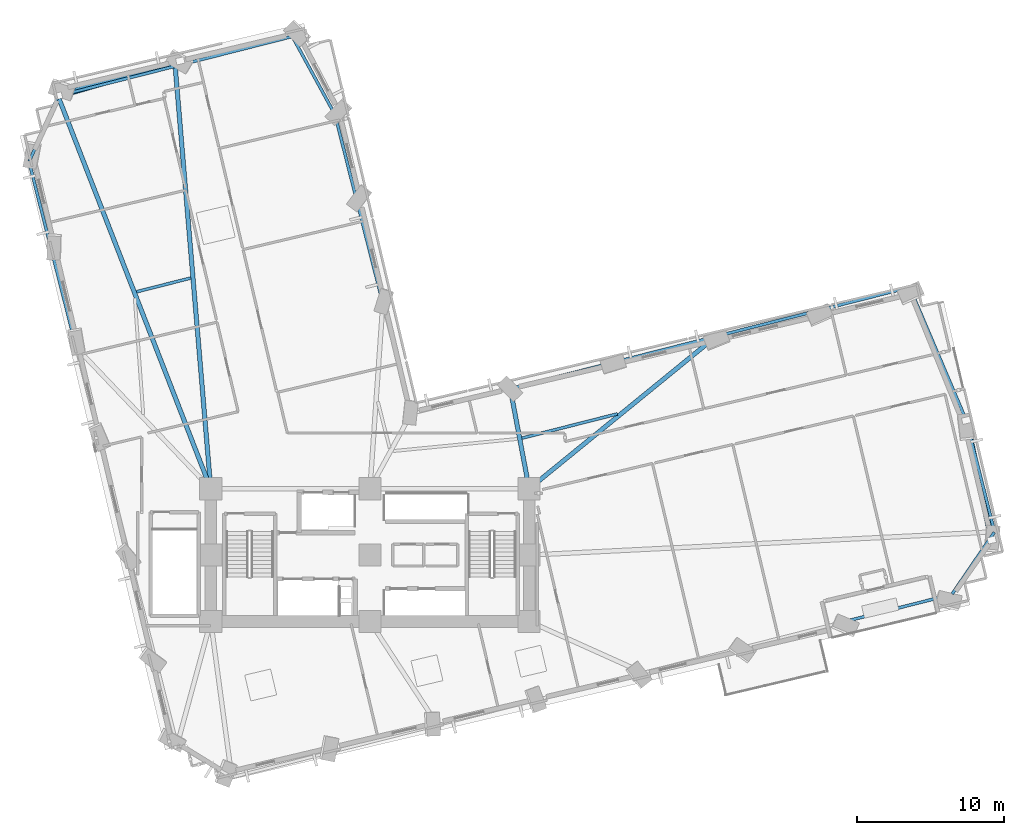
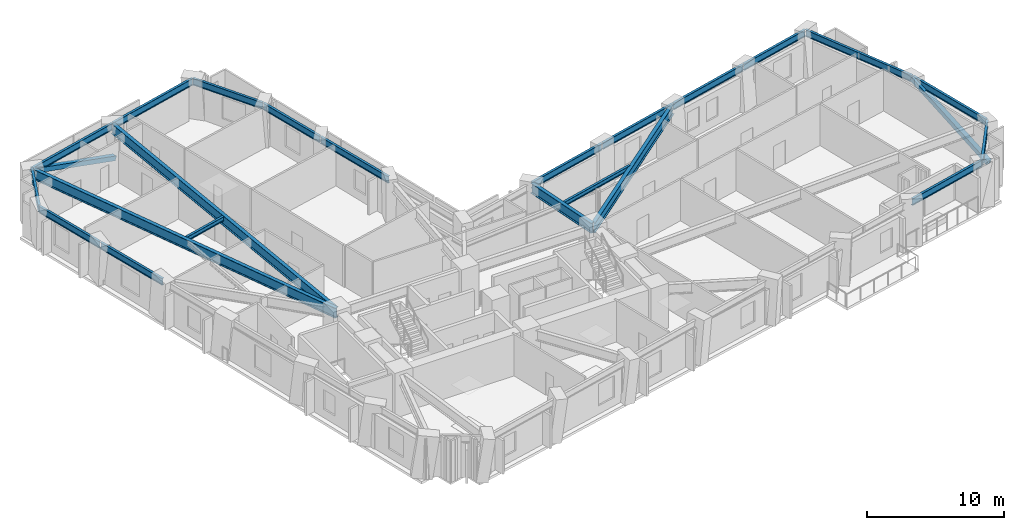
# One storey, part 2 of 14: 22 beams, 2 members.
"""IFC4 building model written with IfcOpenShell, lengths in metres."""

from ifc_helpers import new_model, si_unit, direction, frame, origin, origin_2d, place, context, subcontext, project, spatial, hollow_rectangle, i_section, extrude, material, material_profile, profile_set, type_object, element, save


model = new_model("IFC4")

# Units and contexts
model_context = context("Model", 3, precision=1e-05, world=origin(), true_north=direction((0.0, 1.0)))
body_context = subcontext(model_context, "Body", "Model", "MODEL_VIEW")
ifc_project = project(units=[si_unit("LENGTHUNIT", "METRE"), si_unit("AREAUNIT", "SQUARE_METRE"), si_unit("VOLUMEUNIT", "CUBIC_METRE"), si_unit("PLANEANGLEUNIT", "RADIAN"), si_unit("MASSUNIT", "GRAM", prefix="KILO")], contexts=[model_context])

# Site, building, storey
site_placement = place(None, origin())
site = spatial("IfcSite", under=ifc_project, at=site_placement, CompositionType="ELEMENT")
building_placement = place(site_placement, origin())
building = spatial("IfcBuilding", under=site, at=building_placement, Name="Gaonmaruhae Medical Tower", CompositionType="ELEMENT")
storey_placement = place(building_placement, frame((0.0, 0.0, 79.0)))
storey = spatial("IfcBuildingStorey", under=building, at=storey_placement, Name="L18", CompositionType="ELEMENT", Elevation=79.0)

# Beams
ifc_material_1 = material(Name="Steel SM355", Category="steel")
ifc_material_profile_1 = material_profile(ifc_material_1, i_section(OverallWidth=0.199951171875, OverallDepth=0.39990234375, WebThickness=0.008056640625, FlangeThickness=0.012939453125, FilletRadius=0.012939453125, at=origin_2d()), Name="H-400x200x8x13")
ifc_profile_set_1 = profile_set([ifc_material_profile_1], Name="Steel SM355")
beam_type_1 = type_object("IfcBeamType", Name="FJ-01 Lower Zone Ward Floor Joist (H-400x200x8x13)", PredefinedType="JOIST", material=ifc_profile_set_1)
beam_1_placement = place(storey_placement, frame((41.587890625, 21.878173828125, 3.5), z_axis=(-0.969230907598, -0.246153301334, 0.0), x_axis=(0.246153301334, -0.969230907598, 0.0)))
element("IfcBeam", 1, at=beam_1_placement, inside=storey, type_object=beam_type_1, Name="L18 Secondary Floor Joist FJ05", PredefinedType="JOIST", context=body_context, shape_type="SweptSolid", body=[
    extrude(i_section(OverallWidth=0.199951171875, OverallDepth=0.39990234375, WebThickness=0.008056640625, FlangeThickness=0.012939453125, FilletRadius=0.012939453125, at=origin_2d()), origin(), (0.0, 0.0, 1.0), 6.681884765625),
])
beam_2_placement = place(storey_placement, frame((12.639404296875, 31.094482421875, 3.5), z_axis=(-0.969228814883, -0.246161541271, 0.0), x_axis=(0.246161541271, -0.969228814883, 0.0)))
element("IfcBeam", 2, at=beam_2_placement, inside=storey, type_object=beam_type_1, Name="L18 Secondary Floor Joist FJ09", PredefinedType="JOIST", context=body_context, shape_type="SweptSolid", body=[
    extrude(i_section(OverallWidth=0.199951171875, OverallDepth=0.39990234375, WebThickness=0.008056640625, FlangeThickness=0.012939453125, FilletRadius=0.012939453125, at=origin_2d()), origin(), (0.0, 0.0, 1.0), 3.78466796875),
])

# Members
ifc_material_2 = material(Name="Steel SM420", Category="steel")
ifc_material_profile_2 = material_profile(ifc_material_2, hollow_rectangle(XDim=0.39990234375, YDim=0.39990234375, WallThickness=0.01611328125, at=origin_2d()), Name="RHS-400x400x16")
ifc_profile_set_2 = profile_set([ifc_material_profile_2], Name="Steel SM420")
member_type = type_object("IfcMemberType", Name="PB-01 Perimeter Solid-Bay Tube Brace Lower (RHS-400x400x16)", PredefinedType="BRACE", material=ifc_profile_set_2)
member_1_placement = place(storey_placement, frame((66.98583984375, 13.322509765625, 0.25), z_axis=(-0.195003164986, 0.912430349681, 0.359784133372), x_axis=(-0.977915931305, -0.20899863947, 0.0)))
element("IfcMember", 3, at=member_1_placement, inside=storey, type_object=member_type, Name="L18 Perimeter Tube Solid-Bay Brace E01-E02", PredefinedType="BRACE", context=body_context, shape_type="SweptSolid", body=[
    extrude(hollow_rectangle(XDim=0.39990234375, YDim=0.39990234375, WallThickness=0.01611328125, at=origin_2d()), origin(), (0.0, 0.0, 1.0), 8.89404296875),
])
member_2_placement = place(storey_placement, frame((11.93115234375, 45.8291015625, 0.25), z_axis=(-0.90120484356, -0.258688502489, 0.347721280086), x_axis=(0.275905576742, -0.961184744325, 0.0)))
element("IfcMember", 4, at=member_2_placement, inside=storey, type_object=member_type, Name="L18 Perimeter Tube Solid-Bay Brace N02-N03", PredefinedType="BRACE", context=body_context, shape_type="SweptSolid", body=[
    extrude(hollow_rectangle(XDim=0.39990234375, YDim=0.39990234375, WallThickness=0.01611328125, at=origin_2d()), origin(), (0.0, 0.0, 1.0), 9.20263671875),
])

# Beams
ifc_material_profile_3 = material_profile(ifc_material_2, i_section(OverallWidth=0.300048828125, OverallDepth=0.89990234375, WebThickness=0.01611328125, FlangeThickness=0.028076171875, FilletRadius=0.01806640625, at=origin_2d()), Name="H-900x300x16x28")
ifc_profile_set_3 = profile_set([ifc_material_profile_3], Name="Steel SM420")
beam_type_2 = type_object("IfcBeamType", Name="PG-01 Zone 1 Radial Floor Girder (H-900x300x16x28)", PredefinedType="BEAM", material=ifc_profile_set_3)
beam_3_placement = place(storey_placement, frame((35.638671875, 16.83154296875, 3.25), z_axis=(0.775080244615, 0.631862812964, 0.0), x_axis=(-0.631862812964, 0.775080244615, 0.0)))
element("IfcBeam", 5, at=beam_3_placement, inside=storey, type_object=beam_type_2, Name="L18 Radial Primary Girder EN02", PredefinedType="BEAM", context=body_context, shape_type="SweptSolid", body=[
    extrude(i_section(OverallWidth=0.300048828125, OverallDepth=0.89990234375, WebThickness=0.01611328125, FlangeThickness=0.028076171875, FilletRadius=0.01806640625, at=origin_2d()), origin(), (0.0, 0.0, 1.0), 16.255859375),
])
beam_4_placement = place(storey_placement, frame((35.5908203125, 16.84912109375, 3.25), z_axis=(-0.185251738534, 0.982691097635, 0.0), x_axis=(-0.982691097635, -0.185251738534, 0.0)))
element("IfcBeam", 6, at=beam_4_placement, inside=storey, type_object=beam_type_2, Name="L18 Radial Primary Girder EN04", PredefinedType="BEAM", context=body_context, shape_type="SweptSolid", body=[
    extrude(i_section(OverallWidth=0.300048828125, OverallDepth=0.89990234375, WebThickness=0.01611328125, FlangeThickness=0.028076171875, FilletRadius=0.01806640625, at=origin_2d()), origin(), (0.0, 0.0, 1.0), 6.8095703125),
])
beam_5_placement = place(storey_placement, frame((13.995849609375, 16.849853515625, 3.25), z_axis=(-0.083934169861, 0.996471301709, 0.0), x_axis=(-0.996471301709, -0.083934169861, 0.0)))
element("IfcBeam", 7, at=beam_5_placement, inside=storey, type_object=beam_type_2, Name="L18 Radial Primary Girder N02", PredefinedType="BEAM", context=body_context, shape_type="SweptSolid", body=[
    extrude(i_section(OverallWidth=0.300048828125, OverallDepth=0.89990234375, WebThickness=0.01611328125, FlangeThickness=0.028076171875, FilletRadius=0.01806640625, at=origin_2d()), origin(), (0.0, 0.0, 1.0), 28.668212890625),
])
beam_6_placement = place(storey_placement, frame((13.98193359375, 16.8466796875, 3.25), z_axis=(-0.362420623914, 0.932014641174, 0.0), x_axis=(-0.932014641174, -0.362420623914, 0.0)))
element("IfcBeam", 8, at=beam_6_placement, inside=storey, type_object=beam_type_2, Name="L18 Radial Primary Girder N03", PredefinedType="BEAM", context=body_context, shape_type="SweptSolid", body=[
    extrude(i_section(OverallWidth=0.300048828125, OverallDepth=0.89990234375, WebThickness=0.01611328125, FlangeThickness=0.028076171875, FilletRadius=0.01806640625, at=origin_2d()), origin(), (0.0, 0.0, 1.0), 28.4921875),
])
ifc_material_profile_4 = material_profile(ifc_material_1, i_section(OverallWidth=0.199951171875, OverallDepth=0.60009765625, WebThickness=0.010986328125, FlangeThickness=0.01708984375, FilletRadius=0.012939453125, at=origin_2d()), Name="H-600x200x11x17")
ifc_profile_set_4 = profile_set([ifc_material_profile_4], Name="Steel SM355")
beam_type_3 = type_object("IfcBeamType", Name="SP-01 Lower Perimeter Spandrel Beam (H-600x200x11x17)", PredefinedType="SPANDREL", material=ifc_profile_set_4)
beam_7_placement = place(storey_placement, frame((57.337158203125, 7.8720703125, 3.39990234375), z_axis=(0.96922804224, 0.24616458343, 0.0), x_axis=(-0.24616458343, 0.96922804224, 0.0)))
element("IfcBeam", 9, at=beam_7_placement, inside=storey, type_object=beam_type_3, Name="L18 Perimeter Spandrel Beam S07-S08", PredefinedType="SPANDREL", context=body_context, shape_type="SweptSolid", body=[
    extrude(i_section(OverallWidth=0.199951171875, OverallDepth=0.60009765625, WebThickness=0.010986328125, FlangeThickness=0.01708984375, FilletRadius=0.012939453125, at=origin_2d()), origin(), (0.0, 0.0, 1.0), 7.119873046875),
])
beam_8_placement = place(storey_placement, frame((64.299560546875, 9.667724609375, 3.39990234375), z_axis=(0.563527086965, 0.826097586401, 0.0), x_axis=(-0.826097586401, 0.563527086965, 0.0)))
element("IfcBeam", 10, at=beam_8_placement, inside=storey, type_object=beam_type_3, Name="L18 Perimeter Spandrel Beam S08-E01", PredefinedType="SPANDREL", context=body_context, shape_type="SweptSolid", body=[
    extrude(i_section(OverallWidth=0.199951171875, OverallDepth=0.60009765625, WebThickness=0.010986328125, FlangeThickness=0.01708984375, FilletRadius=0.012939453125, at=origin_2d()), origin(), (0.0, 0.0, 1.0), 5.056396484375),
])
beam_9_placement = place(storey_placement, frame((67.16162109375, 13.91650390625, 3.39990234375), z_axis=(-0.246135455099, 0.969235439789, 0.0), x_axis=(-0.969235439789, -0.246135455099, 0.0)))
element("IfcBeam", 11, at=beam_9_placement, inside=storey, type_object=beam_type_3, Name="L18 Perimeter Spandrel Beam E01-E02", PredefinedType="SPANDREL", context=body_context, shape_type="SweptSolid", body=[
    extrude(i_section(OverallWidth=0.199951171875, OverallDepth=0.60009765625, WebThickness=0.010986328125, FlangeThickness=0.01708984375, FilletRadius=0.012939453125, at=origin_2d()), origin(), (0.0, 0.0, 1.0), 7.719970703125),
])
beam_10_placement = place(storey_placement, frame((65.23583984375, 21.474365234375, 3.39990234375), z_axis=(-0.391387553259, 0.920225941361, 0.0), x_axis=(-0.920225941361, -0.391387553259, 0.0)))
element("IfcBeam", 12, at=beam_10_placement, inside=storey, type_object=beam_type_3, Name="L18 Perimeter Spandrel Beam E02-E03", PredefinedType="SPANDREL", context=body_context, shape_type="SweptSolid", body=[
    extrude(i_section(OverallWidth=0.199951171875, OverallDepth=0.60009765625, WebThickness=0.010986328125, FlangeThickness=0.01708984375, FilletRadius=0.012939453125, at=origin_2d()), origin(), (0.0, 0.0, 1.0), 9.7353515625),
])
beam_11_placement = place(storey_placement, frame((61.371337890625, 30.460205078125, 3.39990234375), z_axis=(-0.969228704826, -0.246161974607, 0.0), x_axis=(0.246161974607, -0.969228704826, 0.0)))
element("IfcBeam", 13, at=beam_11_placement, inside=storey, type_object=beam_type_3, Name="L18 Perimeter Spandrel Beam E03-EN01", PredefinedType="SPANDREL", context=body_context, shape_type="SweptSolid", body=[
    extrude(i_section(OverallWidth=0.199951171875, OverallDepth=0.60009765625, WebThickness=0.010986328125, FlangeThickness=0.01708984375, FilletRadius=0.012939453125, at=origin_2d()), origin(), (0.0, 0.0, 1.0), 6.27001953125),
])
for number, where, z_axis, x_axis, name in (
    (14, (55.216552734375, 28.89697265625, 3.39990234375), (-0.969236222901, -0.246132371329, 0.0), (0.246132371329, -0.969236222901, 0.0), "L18 Perimeter Spandrel Beam EN01-EN02"),
    (15, (48.238037109375, 27.124755859375, 3.39990234375), (-0.96922804224, -0.24616458343, 0.0), (0.24616458343, -0.96922804224, 0.0), "L18 Perimeter Spandrel Beam EN02-EN03"),
    (16, (41.259765625, 25.3525390625, 3.39990234375), (-0.96922804224, -0.24616458343, 0.0), (0.24616458343, -0.96922804224, 0.0), "L18 Perimeter Spandrel Beam EN03-EN04"),
):
    element("IfcBeam", number, at=place(storey_placement, frame(where, z_axis=z_axis, x_axis=x_axis)), inside=storey, type_object=beam_type_3, Name=name, PredefinedType="SPANDREL", context=body_context, shape_type="SweptSolid", body=[
        extrude(i_section(OverallWidth=0.199951171875, OverallDepth=0.60009765625, WebThickness=0.010986328125, FlangeThickness=0.01708984375, FilletRadius=0.012939453125, at=origin_2d()), origin(), (0.0, 0.0, 1.0), 7.119873046875),
    ])
beam_12_placement = place(storey_placement, frame((25.666259765625, 29.429443359375, 3.39990234375), z_axis=(-0.246124191397, 0.969238300115, 0.0), x_axis=(-0.969238300115, -0.246124191397, 0.0)))
element("IfcBeam", 17, at=beam_12_placement, inside=storey, type_object=beam_type_3, Name="L18 Perimeter Spandrel Beam NE01-NE02", PredefinedType="SPANDREL", context=body_context, shape_type="SweptSolid", body=[
    extrude(i_section(OverallWidth=0.199951171875, OverallDepth=0.60009765625, WebThickness=0.010986328125, FlangeThickness=0.01708984375, FilletRadius=0.012939453125, at=origin_2d()), origin(), (0.0, 0.0, 1.0), 7.1201171875),
])
beam_13_placement = place(storey_placement, frame((23.89404296875, 36.407958984375, 3.39990234375), z_axis=(-0.246163070294, 0.969228426545, 0.0), x_axis=(-0.969228426545, -0.246163070294, 0.0)))
element("IfcBeam", 18, at=beam_13_placement, inside=storey, type_object=beam_type_3, Name="L18 Perimeter Spandrel Beam NE02-NE03", PredefinedType="SPANDREL", context=body_context, shape_type="SweptSolid", body=[
    extrude(i_section(OverallWidth=0.199951171875, OverallDepth=0.60009765625, WebThickness=0.010986328125, FlangeThickness=0.01708984375, FilletRadius=0.012939453125, at=origin_2d()), origin(), (0.0, 0.0, 1.0), 5.919921875),
])
beam_14_placement = place(storey_placement, frame((22.40771484375, 42.2197265625, 3.39990234375), z_axis=(-0.479173587905, 0.877720156231, 0.0), x_axis=(-0.877720156231, -0.479173587905, 0.0)))
element("IfcBeam", 19, at=beam_14_placement, inside=storey, type_object=beam_type_3, Name="L18 Perimeter Spandrel Beam NE03-N01", PredefinedType="SPANDREL", context=body_context, shape_type="SweptSolid", body=[
    extrude(i_section(OverallWidth=0.199951171875, OverallDepth=0.60009765625, WebThickness=0.010986328125, FlangeThickness=0.01708984375, FilletRadius=0.012939453125, at=origin_2d()), origin(), (0.0, 0.0, 1.0), 5.959228515625),
])
for number, where, z_axis, x_axis, name in (
    (20, (19.494384765625, 47.4755859375, 3.39990234375), (-0.969230199918, -0.246156087813, 0.0), (0.246156087813, -0.969230199918, 0.0), "L18 Perimeter Spandrel Beam N01-N02"),
    (21, (11.546630859375, 45.45703125, 3.39990234375), (-0.969230199918, -0.246156087813, 0.0), (0.246156087813, -0.969230199918, 0.0), "L18 Perimeter Spandrel Beam N02-N03"),
):
    element("IfcBeam", number, at=place(storey_placement, frame(where, z_axis=z_axis, x_axis=x_axis)), inside=storey, type_object=beam_type_3, Name=name, PredefinedType="SPANDREL", context=body_context, shape_type="SweptSolid", body=[
        extrude(i_section(OverallWidth=0.199951171875, OverallDepth=0.60009765625, WebThickness=0.010986328125, FlangeThickness=0.01708984375, FilletRadius=0.012939453125, at=origin_2d()), origin(), (0.0, 0.0, 1.0), 8.119873046875),
    ])
beam_15_placement = place(storey_placement, frame((3.62158203125, 43.411865234375, 3.39990234375), z_axis=(-0.401547010284, -0.915838412894, 0.0), x_axis=(0.915838412894, -0.401547010284, 0.0)))
element("IfcBeam", 22, at=beam_15_placement, inside=storey, type_object=beam_type_3, Name="L18 Perimeter Spandrel Beam N03-W01", PredefinedType="SPANDREL", context=body_context, shape_type="SweptSolid", body=[
    extrude(i_section(OverallWidth=0.199951171875, OverallDepth=0.60009765625, WebThickness=0.010986328125, FlangeThickness=0.01708984375, FilletRadius=0.012939453125, at=origin_2d()), origin(), (0.0, 0.0, 1.0), 4.80078125),
])
beam_16_placement = place(storey_placement, frame((1.6875, 38.939697265625, 3.39990234375), z_axis=(0.246151542057, -0.969231354395, 0.0), x_axis=(0.969231354395, 0.246151542057, 0.0)))
element("IfcBeam", 23, at=beam_16_placement, inside=storey, type_object=beam_type_3, Name="L18 Perimeter Spandrel Beam W01-W02", PredefinedType="SPANDREL", context=body_context, shape_type="SweptSolid", body=[
    extrude(i_section(OverallWidth=0.199951171875, OverallDepth=0.60009765625, WebThickness=0.010986328125, FlangeThickness=0.01708984375, FilletRadius=0.012939453125, at=origin_2d()), origin(), (0.0, 0.0, 1.0), 6.31982421875),
])
beam_17_placement = place(storey_placement, frame((3.262939453125, 32.736572265625, 3.39990234375), z_axis=(0.246163896486, -0.96922821671, 0.0), x_axis=(0.96922821671, 0.246163896486, 0.0)))
element("IfcBeam", 24, at=beam_17_placement, inside=storey, type_object=beam_type_3, Name="L18 Perimeter Spandrel Beam W02-W03", PredefinedType="SPANDREL", context=body_context, shape_type="SweptSolid", body=[
    extrude(i_section(OverallWidth=0.199951171875, OverallDepth=0.60009765625, WebThickness=0.010986328125, FlangeThickness=0.01708984375, FilletRadius=0.012939453125, at=origin_2d()), origin(), (0.0, 0.0, 1.0), 6.52001953125),
])

save(model, "model.ifc")
